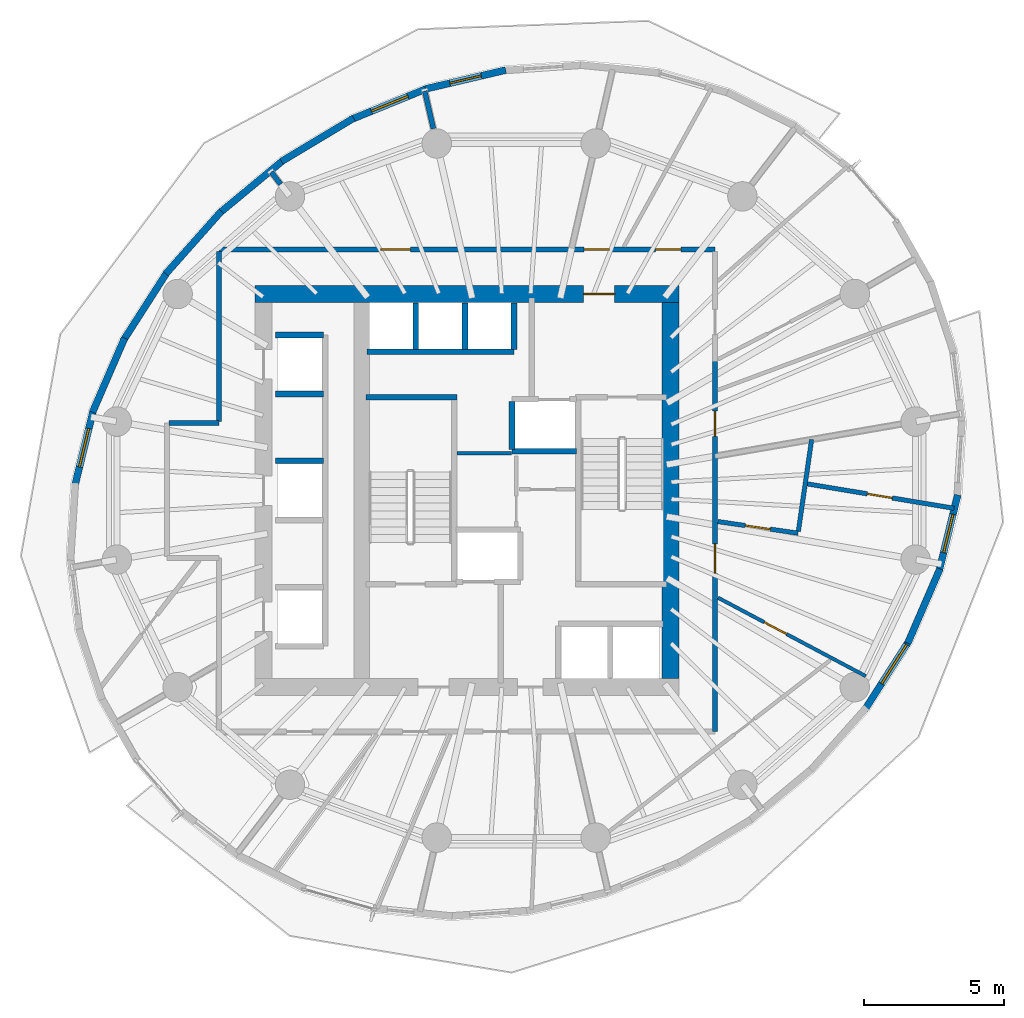
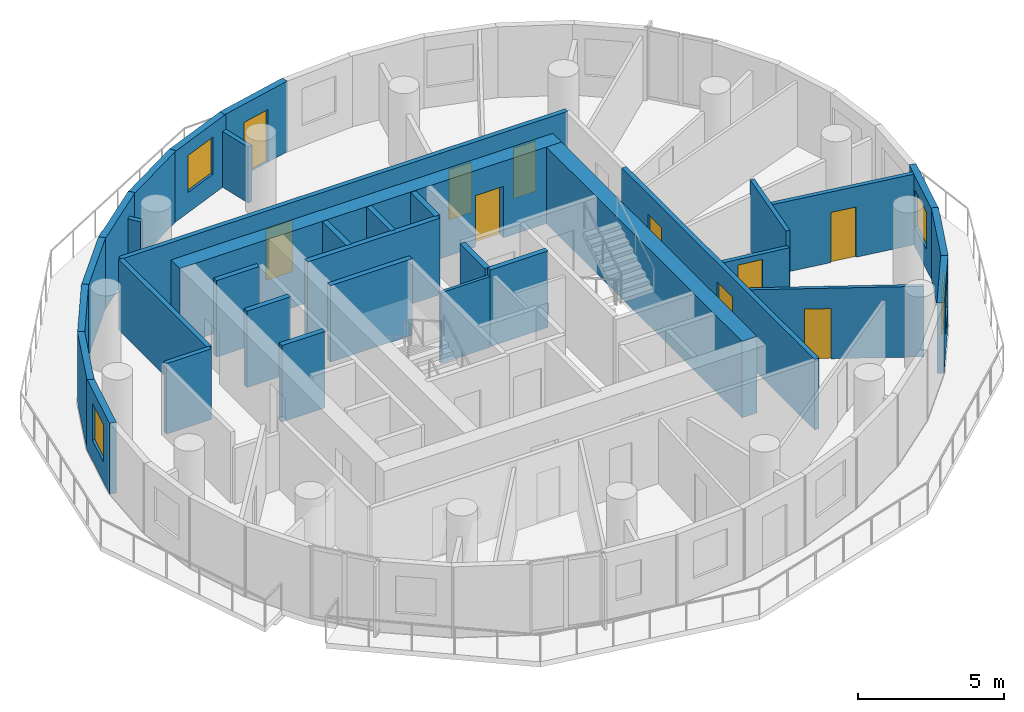
# One storey, part 6 of 12: 34 walls, 10 doors, 4 windows, 14 openings.
"""IFC4 building model written with IfcOpenShell, lengths in metres."""

from ifc_helpers import new_model, si_unit, direction, frame, frame_2d, origin, place, context, subcontext, project, spatial, rectangle, extrude, material, layer, layer_set, type_object, element, fill, save


model = new_model("IFC4")

# Units and contexts
model_context = context("Model", 3, precision=1e-05, world=origin(), true_north=direction((0.0, 1.0)))
body_context = subcontext(model_context, "Body", "Model", "MODEL_VIEW")
ifc_project = project(units=[si_unit("LENGTHUNIT", "METRE"), si_unit("AREAUNIT", "SQUARE_METRE"), si_unit("VOLUMEUNIT", "CUBIC_METRE"), si_unit("PLANEANGLEUNIT", "RADIAN"), si_unit("MASSUNIT", "GRAM", prefix="KILO")], contexts=[model_context])

# Site, building, storey
site_placement = place(None, origin())
site = spatial("IfcSite", under=ifc_project, at=site_placement, CompositionType="ELEMENT")
building_placement = place(site_placement, origin())
building = spatial("IfcBuilding", under=site, at=building_placement, Name="Veldorim Arch Residences", CompositionType="ELEMENT")
storey_placement = place(building_placement, frame((0.0, 0.0, 142.56005859375)))
storey = spatial("IfcBuildingStorey", under=building, at=storey_placement, Name="L42", CompositionType="ELEMENT", Elevation=142.56005859375)

# Wall
ifc_material_1 = material(Name="Acoustic Gypsum Board", Category="gypsum")
ifc_layer_1 = layer(ifc_material_1, 0.125, Name="Acoustic Stud Room Partition Wall 125")
ifc_layer_set_1 = layer_set([ifc_layer_1], Name="Acoustic Gypsum Board")
wall_type_1 = type_object("IfcWallType", Name="Acoustic Stud Room Partition Wall 125", PredefinedType="PARTITIONING", material=ifc_layer_set_1)
wall_1_placement = place(storey_placement, frame((29.889892578125, 25.330078125, 0.0), z_axis=(0.0, 0.0, 1.0), x_axis=(1.0, 0.0, 0.0)))
element("IfcWall", 1, at=wall_1_placement, inside=storey, type_object=wall_type_1, Name="L42 interior wall WL-CA-L42-N", PredefinedType="PARTITIONING", context=body_context, shape_type="SweptSolid", body=[
    extrude(rectangle(XDim=1.940185546875, YDim=0.125, at=frame_2d((0.97021484375, 0.0))), origin(), (0.0, 0.0, 1.0), 2.954833984375),
])

# Wall, opening, door
wall_2_placement = place(storey_placement, frame((44.443115234375, 17.39453125, 0.0), z_axis=(0.0, 0.0, 1.0), x_axis=(-0.883258541518, 0.468886285612, 0.0)))
wall_2 = element("IfcWall", 2, at=wall_2_placement, inside=storey, type_object=wall_type_1, Name="L42 interior wall WL-RES-L42-016", PredefinedType="PARTITIONING", context=body_context, shape_type="SweptSolid", body=[
    extrude(rectangle(XDim=5.951904296875, YDim=0.125, at=frame_2d((2.97607421875, 0.0))), origin(), (0.0, 0.0, 1.0), 2.954833984375),
])
opening_1_placement = place(wall_2_placement, frame((3.18408203125, 0.0, 0.0)))
opening_1 = element("IfcOpeningElement", 3, at=opening_1_placement, cuts=wall_2, Name="Opening DR-INT", PredefinedType="OPENING", context=body_context, shape_type="SweptSolid", body=[
    extrude(rectangle(XDim=0.89990234375, YDim=2.10009765625, at=frame_2d((0.449951171875, 1.050048828125))), frame((0.0, 0.072509765625, 0.0), z_axis=(0.0, -1.0, 0.0), x_axis=(1.0, 0.0, 0.0)), (0.0, 0.0, 1.0), 0.14501953125),
])
ifc_material_2 = material(Name="Engineered Timber", Category="wood")
door_type_1 = type_object("IfcDoorType", Name="Apartment Internal Room Timber Door 900x2100", OperationType="SINGLE_SWING_LEFT", PredefinedType="DOOR", material=ifc_material_2)
door_1_placement = place(opening_1_placement, origin())
door_1 = element("IfcDoor", 4, at=door_1_placement, inside=storey, type_object=door_type_1, Name="L42 interior door DR-RES-L42-007", OperationType="SINGLE_SWING_LEFT", OverallHeight=2.10009765625, OverallWidth=0.89990234375, PredefinedType="DOOR", context=body_context, shape_type="SweptSolid", body=[
    extrude(rectangle(XDim=0.89990234375, YDim=2.10009765625, at=frame_2d((0.449951171875, 1.050048828125))), frame((0.0, 0.02490234375, 0.0), z_axis=(0.0, -1.0, 0.0), x_axis=(1.0, 0.0, 0.0)), (0.0, 0.0, 1.0), 0.050048828125),
])
fill(opening_1, door_1)

# Walls
ifc_material_3 = material(Name="Lightweight Masonry Block & Gypsum", Category="masonry")
ifc_layer_2 = layer(ifc_material_3, 0.179931640625, Name="Compartment & Corridor Fire-Rated Party Wall 180")
ifc_layer_set_2 = layer_set([ifc_layer_2], Name="Lightweight Masonry Block & Gypsum")
wall_type_2 = type_object("IfcWallType", Name="Compartment & Corridor Fire-Rated Party Wall 180", PredefinedType="PARTITIONING", material=ifc_layer_set_2)
wall_3_placement = place(storey_placement, frame((29.049560546875, 36.88916015625, 0.0), z_axis=(0.0, 0.0, 1.0), x_axis=(-0.223027623572, 0.974812125039, 0.0)))
element("IfcWall", 5, at=wall_3_placement, inside=storey, type_object=wall_type_2, Name="L42 interior wall WL-PIER-L42-05", PredefinedType="PARTITIONING", context=body_context, shape_type="SweptSolid", body=[
    extrude(rectangle(XDim=1.372802734375, YDim=0.179931640625, at=frame_2d((0.6865234375, 0.0))), origin(), (0.0, 0.0, 1.0), 2.335693359375),
])
wall_4_placement = place(storey_placement, frame((23.612060546875, 34.908447265625, 0.0), z_axis=(0.0, 0.0, 1.0), x_axis=(-0.6096676216, 0.792657171275, 0.0)))
element("IfcWall", 6, at=wall_4_placement, inside=storey, type_object=wall_type_2, Name="L42 interior wall WL-PIER-L42-06", PredefinedType="PARTITIONING", context=body_context, shape_type="SweptSolid", body=[
    extrude(rectangle(XDim=0.547119140625, YDim=0.179931640625, at=frame_2d((0.2734375, 0.0))), origin(), (0.0, 0.0, 1.0), 2.335693359375),
])

# Wall, openings, doors
wall_5_placement = place(storey_placement, frame((39.080078125, 28.64501953125, 0.0), z_axis=(0.0, 0.0, 1.0), x_axis=(0.0, -1.0, 0.0)))
wall_5 = element("IfcWall", 7, at=wall_5_placement, inside=storey, type_object=wall_type_2, Name="L42 interior wall WL-RES-L42-003", PredefinedType="PARTITIONING", context=body_context, shape_type="SweptSolid", body=[
    extrude(rectangle(XDim=13.22509765625, YDim=0.179931640625, at=frame_2d((6.612548828125, 0.0))), origin(), (0.0, 0.0, 1.0), 2.954833984375),
])
opening_2_placement = place(wall_5_placement, frame((6.54541015625, 0.0, 0.0)))
opening_2 = element("IfcOpeningElement", 8, at=opening_2_placement, cuts=wall_5, Name="Opening DR-FLT", PredefinedType="OPENING", context=body_context, shape_type="SweptSolid", body=[
    extrude(rectangle(XDim=1.050048828125, YDim=2.14990234375, at=frame_2d((0.52490234375, 1.074951171875))), frame((0.0, 0.099853515625, 0.0), z_axis=(0.0, -1.0, 0.0), x_axis=(1.0, 0.0, 0.0)), (0.0, 0.0, 1.0), 0.199951171875),
])
opening_3_placement = place(wall_5_placement, frame((1.8115234375, 0.0, 0.0)))
opening_3 = element("IfcOpeningElement", 9, at=opening_3_placement, cuts=wall_5, Name="Opening DR-INT", PredefinedType="OPENING", context=body_context, shape_type="SweptSolid", body=[
    extrude(rectangle(XDim=0.89990234375, YDim=2.10009765625, at=frame_2d((0.449951171875, 1.050048828125))), frame((0.0, 0.099853515625, 0.0), z_axis=(0.0, -1.0, 0.0), x_axis=(1.0, 0.0, 0.0)), (0.0, 0.0, 1.0), 0.199951171875),
])
ifc_material_4 = material(Name="Fire-Rated Timber", Category="wood")
door_type_2 = type_object("IfcDoorType", Name="Apartment Entrance Solid-Core Fire Door 1050x2150", OperationType="SINGLE_SWING_LEFT", PredefinedType="DOOR", material=ifc_material_4)
door_2_placement = place(opening_2_placement, origin())
door_2 = element("IfcDoor", 10, at=door_2_placement, inside=storey, type_object=door_type_2, Name="L42 interior door DR-RES-L42-005", OperationType="SINGLE_SWING_LEFT", OverallHeight=2.14990234375, OverallWidth=1.050048828125, PredefinedType="DOOR", context=body_context, shape_type="SweptSolid", body=[
    extrude(rectangle(XDim=1.050048828125, YDim=2.14990234375, at=frame_2d((0.52490234375, 1.074951171875))), frame((0.0, 0.02490234375, 0.0), z_axis=(0.0, -1.0, 0.0), x_axis=(1.0, 0.0, 0.0)), (0.0, 0.0, 1.0), 0.050048828125),
])
fill(opening_2, door_2)
door_3_placement = place(opening_3_placement, origin())
door_3 = element("IfcDoor", 11, at=door_3_placement, inside=storey, type_object=door_type_1, Name="L42 interior door DR-RES-L42-013", OperationType="SINGLE_SWING_LEFT", OverallHeight=2.10009765625, OverallWidth=0.89990234375, PredefinedType="DOOR", context=body_context, shape_type="SweptSolid", body=[
    extrude(rectangle(XDim=0.89990234375, YDim=2.10009765625, at=frame_2d((0.449951171875, 1.050048828125))), frame((0.0, 0.02490234375, 0.0), z_axis=(0.0, -1.0, 0.0), x_axis=(1.0, 0.0, 0.0)), (0.0, 0.0, 1.0), 0.050048828125),
])
fill(opening_3, door_3)

wall_6_placement = place(storey_placement, frame((21.419921875, 32.580078125, 0.0), z_axis=(0.0, 0.0, 1.0), x_axis=(1.0, 0.0, 0.0)))
wall_6 = element("IfcWall", 12, at=wall_6_placement, inside=storey, type_object=wall_type_2, Name="L42 interior wall WL-RES-L42-004", PredefinedType="PARTITIONING", context=body_context, shape_type="SweptSolid", body=[
    extrude(rectangle(XDim=17.66015625, YDim=0.179931640625, at=frame_2d((8.830078125, 0.0))), origin(), (0.0, 0.0, 1.0), 2.954833984375),
])
opening_4_placement = place(wall_6_placement, frame((13.000732421875, 0.0, 0.0)))
opening_4 = element("IfcOpeningElement", 13, at=opening_4_placement, cuts=wall_6, Name="Opening DR-INT", PredefinedType="OPENING", context=body_context, shape_type="SweptSolid", body=[
    extrude(rectangle(XDim=0.89990234375, YDim=2.10009765625, at=frame_2d((0.449951171875, 1.050048828125))), frame((0.0, 0.099853515625, 0.0), z_axis=(0.0, -1.0, 0.0), x_axis=(1.0, 0.0, 0.0)), (0.0, 0.0, 1.0), 0.199951171875),
])
opening_5_placement = place(wall_6_placement, frame((15.54736328125, 0.0, 0.0)))
opening_5 = element("IfcOpeningElement", 14, at=opening_5_placement, cuts=wall_6, Name="Opening DR-SVC", PredefinedType="OPENING", context=body_context, shape_type="SweptSolid", body=[
    extrude(rectangle(XDim=0.89990234375, YDim=2.10009765625, at=frame_2d((0.449951171875, 1.050048828125))), frame((0.0, 0.099853515625, 0.0), z_axis=(0.0, -1.0, 0.0), x_axis=(1.0, 0.0, 0.0)), (0.0, 0.0, 1.0), 0.199951171875),
])
opening_6_placement = place(wall_6_placement, frame((5.757080078125, 0.0, 0.0)))
opening_6 = element("IfcOpeningElement", 15, at=opening_6_placement, cuts=wall_6, Name="Opening DR-FLT", PredefinedType="OPENING", context=body_context, shape_type="SweptSolid", body=[
    extrude(rectangle(XDim=1.050048828125, YDim=2.14990234375, at=frame_2d((0.52490234375, 1.074951171875))), frame((0.0, 0.099853515625, 0.0), z_axis=(0.0, -1.0, 0.0), x_axis=(1.0, 0.0, 0.0)), (0.0, 0.0, 1.0), 0.199951171875),
])
door_4_placement = place(opening_6_placement, origin())
door_4 = element("IfcDoor", 16, at=door_4_placement, inside=storey, type_object=door_type_2, Name="L42 interior door DR-RES-L42-015", OperationType="SINGLE_SWING_LEFT", OverallHeight=2.14990234375, OverallWidth=1.050048828125, PredefinedType="DOOR", context=body_context, shape_type="SweptSolid", body=[
    extrude(rectangle(XDim=1.050048828125, YDim=2.14990234375, at=frame_2d((0.52490234375, 1.074951171875))), frame((0.0, 0.02490234375, 0.0), z_axis=(0.0, -1.0, 0.0), x_axis=(1.0, 0.0, 0.0)), (0.0, 0.0, 1.0), 0.050048828125),
])
fill(opening_6, door_4)
door_5_placement = place(opening_4_placement, origin())
door_5 = element("IfcDoor", 17, at=door_5_placement, inside=storey, type_object=door_type_1, Name="L42 interior door DR-RES-L42-010", OperationType="SINGLE_SWING_RIGHT", OverallHeight=2.10009765625, OverallWidth=0.89990234375, PredefinedType="DOOR", context=body_context, shape_type="SweptSolid", body=[
    extrude(rectangle(XDim=0.89990234375, YDim=2.10009765625, at=frame_2d((0.449951171875, 1.050048828125))), frame((0.0, 0.02490234375, 0.0), z_axis=(0.0, -1.0, 0.0), x_axis=(1.0, 0.0, 0.0)), (0.0, 0.0, 1.0), 0.050048828125),
])
fill(opening_4, door_5)
ifc_material_5 = material(Name="Fire-Rated Steel", Category="steel")
door_type_3 = type_object("IfcDoorType", Name="Riser, Shelter & Plant Room Rated Steel Door 900x2100", OperationType="SINGLE_SWING_LEFT", PredefinedType="DOOR", material=ifc_material_5)
door_6_placement = place(opening_5_placement, origin())
door_6 = element("IfcDoor", 18, at=door_6_placement, inside=storey, type_object=door_type_3, Name="L42 interior door DR-RES-L42-011", OperationType="SINGLE_SWING_LEFT", OverallHeight=2.10009765625, OverallWidth=0.89990234375, PredefinedType="DOOR", context=body_context, shape_type="SweptSolid", body=[
    extrude(rectangle(XDim=0.89990234375, YDim=2.10009765625, at=frame_2d((0.449951171875, 1.050048828125))), frame((0.0, 0.02490234375, 0.0), z_axis=(0.0, -1.0, 0.0), x_axis=(1.0, 0.0, 0.0)), (0.0, 0.0, 1.0), 0.050048828125),
])
fill(opening_5, door_6)

# Walls
wall_7_placement = place(storey_placement, frame((19.6298828125, 26.39990234375, 0.0), z_axis=(0.0, 0.0, 1.0), x_axis=(1.0, 0.0, 0.0)))
element("IfcWall", 19, at=wall_7_placement, inside=storey, type_object=wall_type_2, Name="L42 interior wall WL-RES-L42-008", PredefinedType="PARTITIONING", context=body_context, shape_type="SweptSolid", body=[
    extrude(rectangle(XDim=1.7900390625, YDim=0.179931640625, at=frame_2d((0.89501953125, 0.0))), origin(), (0.0, 0.0, 1.0), 2.954833984375),
])
wall_8_placement = place(storey_placement, frame((21.419921875, 26.4599609375, 0.0), z_axis=(0.0, 0.0, 1.0), x_axis=(0.0, 1.0, 0.0)))
element("IfcWall", 20, at=wall_8_placement, inside=storey, type_object=wall_type_2, Name="L42 interior wall WL-RES-L42-009", PredefinedType="PARTITIONING", context=body_context, shape_type="SweptSolid", body=[
    extrude(rectangle(XDim=6.06005859375, YDim=0.179931640625, at=frame_2d((3.030029296875, 0.0))), origin(), (0.0, 0.0, 1.0), 2.954833984375),
])
ifc_material_6 = material(Name="Concrete C50/60", Category="concrete")
ifc_layer_3 = layer(ifc_material_6, 0.199951171875, Name="Core Stair & Lift Shaft Enclosure Wall 200")
ifc_layer_set_3 = layer_set([ifc_layer_3], Name="Concrete C50/60")
wall_type_3 = type_object("IfcWallType", Name="Core Stair & Lift Shaft Enclosure Wall 200", PredefinedType="SHEAR", material=ifc_layer_set_3)
wall_9_placement = place(storey_placement, frame((26.64990234375, 27.330078125, 0.0), z_axis=(0.0, 0.0, 1.0), x_axis=(1.0, 0.0, 0.0)))
element("IfcWall", 21, at=wall_9_placement, inside=storey, type_object=wall_type_3, Name="L42 shaft wall WL-SHF-L42-ST1-N", PredefinedType="SHEAR", context=body_context, shape_type="SweptSolid", body=[
    extrude(rectangle(XDim=3.239990234375, YDim=0.199951171875, at=frame_2d((1.6201171875, 0.0))), origin(), (0.0, 0.0, 1.0), 3.199951171875),
])
wall_10_placement = place(storey_placement, frame((31.85009765625, 25.39990234375, 0.0), z_axis=(0.0, 0.0, 1.0), x_axis=(1.0, 0.0, 0.0)))
element("IfcWall", 22, at=wall_10_placement, inside=storey, type_object=wall_type_3, Name="L42 shaft wall WL-FL02-L42-S", PredefinedType="SHEAR", context=body_context, shape_type="SweptSolid", body=[
    extrude(rectangle(XDim=2.2998046875, YDim=0.199951171875, at=frame_2d((1.14990234375, 0.0))), origin(), (0.0, 0.0, 1.0), 3.199951171875),
])
for number, where, z_axis, x_axis, name in (
    (23, (31.85009765625, 25.469970703125, 0.0), (0.0, 0.0, 1.0), (0.0, 1.0, 0.0), "L42 shaft wall WL-FL02-L42-W"),
    (24, (23.419921875, 29.5400390625, 0.0), (0.0, 0.0, 1.0), (1.0, 0.0, 0.0), "L42 shaft wall WL-B2-L42-N"),
    (25, (23.419921875, 25.06005859375, 0.0), (0.0, 0.0, 1.0), (1.0, 0.0, 0.0), "L42 shaft wall WL-B2-L42-D2A"),
    (26, (23.419921875, 27.43994140625, 0.0), (0.0, 0.0, 1.0), (1.0, 0.0, 0.0), "L42 shaft wall WL-B2-L42-D2B"),
):
    element("IfcWall", number, at=place(storey_placement, frame(where, z_axis=z_axis, x_axis=x_axis)), inside=storey, type_object=wall_type_3, Name=name, PredefinedType="SHEAR", context=body_context, shape_type="SweptSolid", body=[
        extrude(rectangle(XDim=1.7099609375, YDim=0.199951171875, at=frame_2d((0.85498046875, 0.0))), origin(), (0.0, 0.0, 1.0), 3.199951171875),
    ])
wall_11_placement = place(storey_placement, frame((26.679931640625, 28.949951171875, 0.0), z_axis=(0.0, 0.0, 1.0), x_axis=(1.0, 0.0, 0.0)))
element("IfcWall", 27, at=wall_11_placement, inside=storey, type_object=wall_type_3, Name="L42 shaft wall WL-B3-L42-S", PredefinedType="SHEAR", context=body_context, shape_type="SweptSolid", body=[
    extrude(rectangle(XDim=5.239990234375, YDim=0.199951171875, at=frame_2d((2.6201171875, 0.0))), origin(), (0.0, 0.0, 1.0), 3.199951171875),
])
for number, where, z_axis, x_axis, name in (
    (28, (31.919921875, 29.02001953125, 0.0), (0.0, 0.0, 1.0), (0.0, 1.0, 0.0), "L42 shaft wall WL-B3-L42-E"),
    (29, (28.425048828125, 29.02001953125, 0.0), (0.0, 0.0, 1.0), (0.0, 1.0, 0.0), "L42 shaft wall WL-B3-L42-D1"),
    (30, (30.175048828125, 29.02001953125, 0.0), (0.0, 0.0, 1.0), (0.0, 1.0, 0.0), "L42 shaft wall WL-B3-L42-D2"),
):
    element("IfcWall", number, at=place(storey_placement, frame(where, z_axis=z_axis, x_axis=x_axis)), inside=storey, type_object=wall_type_3, Name=name, PredefinedType="SHEAR", context=body_context, shape_type="SweptSolid", body=[
        extrude(rectangle(XDim=1.659912109375, YDim=0.199951171875, at=frame_2d((0.830078125, 0.0))), origin(), (0.0, 0.0, 1.0), 3.199951171875),
    ])

# Wall, opening, door
ifc_material_7 = material(Name="Concrete C50/60", Category="concrete")
ifc_layer_4 = layer(ifc_material_7, 0.60009765625, Name="Mid-Upper Central Core Shear Wall 600")
ifc_layer_set_4 = layer_set([ifc_layer_4], Name="Concrete C50/60")
wall_type_4 = type_object("IfcWallType", Name="Mid-Upper Central Core Shear Wall 600", PredefinedType="SHEAR", material=ifc_layer_set_4)
wall_12_placement = place(storey_placement, frame((22.699951171875, 31.0, 0.0), z_axis=(0.0, 0.0, 1.0), x_axis=(1.0, 0.0, 0.0)))
wall_12 = element("IfcWall", 31, at=wall_12_placement, inside=storey, type_object=wall_type_4, Name="L42 central core north shear wall", PredefinedType="SHEAR", context=body_context, shape_type="SweptSolid", body=[
    extrude(rectangle(XDim=15.10009765625, YDim=0.60009765625, at=frame_2d((7.550048828125, 0.0))), origin(), (0.0, 0.0, 1.0), 3.199951171875),
])
opening_7_placement = place(wall_12_placement, frame((11.699951171875, 0.0, 0.0)))
opening_7 = element("IfcOpeningElement", 32, at=opening_7_placement, cuts=wall_12, Name="Opening DR-FFL", PredefinedType="OPENING", context=body_context, shape_type="SweptSolid", body=[
    extrude(rectangle(XDim=1.10009765625, YDim=2.14990234375, at=frame_2d((0.550048828125, 1.074951171875))), frame((0.0, 0.31005859375, 0.0), z_axis=(0.0, -1.0, 0.0), x_axis=(1.0, 0.0, 0.0)), (0.0, 0.0, 1.0), 0.6201171875),
])
ifc_material_8 = material(Name="Fire-Rated Steel & Vision Glass", Category="steel")
door_type_4 = type_object("IfcDoorType", Name="Firefighting Lobby Smoke-Stop Fire Door 1100x2150", OperationType="SINGLE_SWING_LEFT", PredefinedType="DOOR", material=ifc_material_8)
door_7_placement = place(opening_7_placement, origin())
door_7 = element("IfcDoor", 33, at=door_7_placement, inside=storey, type_object=door_type_4, Name="L42 interior door DR-L42-FFL2", OperationType="SINGLE_SWING_LEFT", OverallHeight=2.14990234375, OverallWidth=1.10009765625, PredefinedType="DOOR", context=body_context, shape_type="SweptSolid", body=[
    extrude(rectangle(XDim=1.10009765625, YDim=2.14990234375, at=frame_2d((0.550048828125, 1.074951171875))), frame((0.0, 0.02490234375, 0.0), z_axis=(0.0, -1.0, 0.0), x_axis=(1.0, 0.0, 0.0)), (0.0, 0.0, 1.0), 0.050048828125),
])
fill(opening_7, door_7)

# Wall
wall_13_placement = place(storey_placement, frame((37.5, 17.300048828125, 0.0), z_axis=(0.0, 0.0, 1.0), x_axis=(0.0, 1.0, 0.0)))
element("IfcWall", 34, at=wall_13_placement, inside=storey, type_object=wall_type_4, Name="L42 central core east shear wall", PredefinedType="SHEAR", context=body_context, shape_type="SweptSolid", body=[
    extrude(rectangle(XDim=13.39990234375, YDim=0.60009765625, at=frame_2d((6.699951171875, 0.0))), origin(), (0.0, 0.0, 1.0), 3.199951171875),
])

# Wall, opening, door
ifc_material_9 = material(Name="Precast concrete C40/50", Category="concrete")
ifc_layer_5 = layer(ifc_material_9, 0.25, Name="Tower Terracotta Spandrel & Pier Wall 250")
ifc_layer_set_5 = layer_set([ifc_layer_5], Name="Precast concrete C40/50")
wall_type_5 = type_object("IfcWallType", Name="Tower Terracotta Spandrel & Pier Wall 250", PredefinedType="SOLIDWALL", material=ifc_layer_set_5)
wall_14_placement = place(storey_placement, frame((28.766845703125, 38.305419921875, 0.0), z_axis=(0.0, 0.0, 1.0), x_axis=(0.973538048261, 0.228524984602, 0.0)))
wall_14 = element("IfcWall", 35, at=wall_14_placement, inside=storey, type_object=wall_type_5, Name="L42 terracotta facade wall 07", PredefinedType="SOLIDWALL", context=body_context, shape_type="SweptSolid", body=[
    extrude(rectangle(XDim=2.936767578125, YDim=0.25, at=frame_2d((1.46826171875, 0.0))), origin(), (0.0, 0.0, 1.0), 2.9599609375),
])
opening_8_placement = place(wall_14_placement, frame((0.89306640625, 0.0, 0.0)))
opening_8 = element("IfcOpeningElement", 36, at=opening_8_placement, cuts=wall_14, Name="Opening BL-DR", PredefinedType="OPENING", context=body_context, shape_type="SweptSolid", body=[
    extrude(rectangle(XDim=1.14990234375, YDim=2.199951171875, at=frame_2d((0.574951171875, 1.10009765625))), frame((0.0, 0.135009765625, 0.0), z_axis=(0.0, -1.0, 0.0), x_axis=(1.0, 0.0, 0.0)), (0.0, 0.0, 1.0), 0.27001953125),
])
ifc_material_10 = material(Name="Aluminium & Low-E Glass", Category="aluminium")
door_type_5 = type_object("IfcDoorType", Name="Glazed Planted Balcony Door 1150x2200", OperationType="SINGLE_SWING_LEFT", PredefinedType="DOOR", material=ifc_material_10)
door_8_placement = place(opening_8_placement, origin())
door_8 = element("IfcDoor", 37, at=door_8_placement, inside=storey, type_object=door_type_5, Name="L42 glazed outdoor terrace door BALC-1", OperationType="SINGLE_SWING_LEFT", OverallHeight=2.199951171875, OverallWidth=1.14990234375, PredefinedType="DOOR", context=body_context, shape_type="SweptSolid", body=[
    extrude(rectangle(XDim=1.14990234375, YDim=2.199951171875, at=frame_2d((0.574951171875, 1.10009765625))), frame((0.0, 0.02490234375, 0.0), z_axis=(0.0, -1.0, 0.0), x_axis=(1.0, 0.0, 0.0)), (0.0, 0.0, 1.0), 0.050048828125),
])
fill(opening_8, door_8)

# Wall, opening, window
wall_15_placement = place(storey_placement, frame((26.114013671875, 37.21533203125, 0.0), z_axis=(0.0, 0.0, 1.0), x_axis=(0.926076439021, 0.377335963154, 0.0)))
wall_15 = element("IfcWall", 38, at=wall_15_placement, inside=storey, type_object=wall_type_5, Name="L42 terracotta facade wall 08", PredefinedType="SOLIDWALL", context=body_context, shape_type="SweptSolid", body=[
    extrude(rectangle(XDim=2.976806640625, YDim=0.25, at=frame_2d((1.48828125, 0.0))), origin(), (0.0, 0.0, 1.0), 2.9599609375),
])
opening_9_placement = place(wall_15_placement, frame((0.7890625, 0.0, 0.85009765625)))
opening_9 = element("IfcOpeningElement", 39, at=opening_9_placement, cuts=wall_15, Name="Opening WN-02", PredefinedType="OPENING", context=body_context, shape_type="SweptSolid", body=[
    extrude(rectangle(XDim=1.39990234375, YDim=1.550048828125, at=frame_2d((0.699951171875, 0.77490234375))), frame((0.0, 0.135009765625, 0.0), z_axis=(0.0, -1.0, 0.0), x_axis=(1.0, 0.0, 0.0)), (0.0, 0.0, 1.0), 0.27001953125),
])
ifc_material_11 = material(Name="Laminated Low-E Glass", Category="glass")
window_type_1 = type_object("IfcWindowType", Name="Residential Casement Window 1400x1550", PartitioningType="SINGLE_PANEL", PredefinedType="WINDOW", material=ifc_material_11)
window_1_placement = place(opening_9_placement, origin())
window_1 = element("IfcWindow", 40, at=window_1_placement, inside=storey, type_object=window_type_1, Name="L42 solar-control facade window 08", OverallHeight=1.550048828125, OverallWidth=1.39990234375, PartitioningType="SINGLE_PANEL", PredefinedType="WINDOW", context=body_context, shape_type="SweptSolid", body=[
    extrude(rectangle(XDim=1.39990234375, YDim=1.550048828125, at=frame_2d((0.699951171875, 0.77490234375))), frame((0.0, 0.030029296875, 0.0), z_axis=(0.0, -1.0, 0.0), x_axis=(1.0, 0.0, 0.0)), (0.0, 0.0, 1.0), 0.06005859375),
])
fill(opening_9, window_1)

# Walls
for number, where, z_axis, x_axis, name in (
    (41, (23.63916015625, 35.722900390625, 0.0), (0.0, 0.0, 1.0), (0.857816062946, 0.513956809617, 0.0), "L42 terracotta facade wall 09"),
    (42, (21.418701171875, 33.873291015625, 0.0), (0.0, 0.0, 1.0), (0.77019983048, 0.637802650613, 0.0), "L42 terracotta facade wall 10"),
):
    element("IfcWall", number, at=place(storey_placement, frame(where, z_axis=z_axis, x_axis=x_axis)), inside=storey, type_object=wall_type_5, Name=name, PredefinedType="SOLIDWALL", context=body_context, shape_type="SweptSolid", body=[
        extrude(rectangle(XDim=2.998291015625, YDim=0.25, at=frame_2d((1.4990234375, 0.0))), origin(), (0.0, 0.0, 1.0), 2.9599609375),
    ])
wall_16_placement = place(storey_placement, frame((19.520263671875, 31.722900390625, 0.0), z_axis=(0.0, 0.0, 1.0), x_axis=(0.664002369324, 0.747730468506, 0.0)))
element("IfcWall", 43, at=wall_16_placement, inside=storey, type_object=wall_type_5, Name="L42 terracotta facade wall 11", PredefinedType="SOLIDWALL", context=body_context, shape_type="SweptSolid", body=[
    extrude(rectangle(XDim=2.97705078125, YDim=0.25, at=frame_2d((1.488525390625, 0.0))), origin(), (0.0, 0.0, 1.0), 2.9599609375),
])
wall_17_placement = place(storey_placement, frame((18.001708984375, 29.337158203125, 0.0), z_axis=(0.0, 0.0, 1.0), x_axis=(0.539492373821, 0.841990486044, 0.0)))
element("IfcWall", 44, at=wall_17_placement, inside=storey, type_object=wall_type_5, Name="L42 terracotta facade wall 12", PredefinedType="SOLIDWALL", context=body_context, shape_type="SweptSolid", body=[
    extrude(rectangle(XDim=2.93701171875, YDim=0.25, at=frame_2d((1.468505859375, 0.0))), origin(), (0.0, 0.0, 1.0), 2.9599609375),
])
wall_18_placement = place(storey_placement, frame((16.909423828125, 26.789306640625, 0.0), z_axis=(0.0, 0.0, 1.0), x_axis=(0.397015319193, 0.917811983102, 0.0)))
element("IfcWall", 45, at=wall_18_placement, inside=storey, type_object=wall_type_5, Name="L42 terracotta facade wall 13", PredefinedType="SOLIDWALL", context=body_context, shape_type="SweptSolid", body=[
    extrude(rectangle(XDim=2.881591796875, YDim=0.25, at=frame_2d((1.44091796875, 0.0))), origin(), (0.0, 0.0, 1.0), 2.9599609375),
])

# Wall, opening, window
wall_19_placement = place(storey_placement, frame((16.27685546875, 24.156982421875, 0.0), z_axis=(0.0, 0.0, 1.0), x_axis=(0.236986101123, 0.971513040507, 0.0)))
wall_19 = element("IfcWall", 46, at=wall_19_placement, inside=storey, type_object=wall_type_5, Name="L42 terracotta facade wall 14", PredefinedType="SOLIDWALL", context=body_context, shape_type="SweptSolid", body=[
    extrude(rectangle(XDim=2.817626953125, YDim=0.25, at=frame_2d((1.40869140625, 0.0))), origin(), (0.0, 0.0, 1.0), 2.9599609375),
])
opening_10_placement = place(wall_19_placement, frame((0.708984375, 0.0, 0.85009765625)))
opening_10 = element("IfcOpeningElement", 47, at=opening_10_placement, cuts=wall_19, Name="Opening WN-02", PredefinedType="OPENING", context=body_context, shape_type="SweptSolid", body=[
    extrude(rectangle(XDim=1.39990234375, YDim=1.550048828125, at=frame_2d((0.699951171875, 0.77490234375))), frame((0.0, 0.135009765625, 0.0), z_axis=(0.0, -1.0, 0.0), x_axis=(1.0, 0.0, 0.0)), (0.0, 0.0, 1.0), 0.27001953125),
])
window_2_placement = place(opening_10_placement, origin())
window_2 = element("IfcWindow", 48, at=window_2_placement, inside=storey, type_object=window_type_1, Name="L42 solar-control facade window 14", OverallHeight=1.550048828125, OverallWidth=1.39990234375, PartitioningType="SINGLE_PANEL", PredefinedType="WINDOW", context=body_context, shape_type="SweptSolid", body=[
    extrude(rectangle(XDim=1.39990234375, YDim=1.550048828125, at=frame_2d((0.699951171875, 0.77490234375))), frame((0.0, 0.030029296875, 0.0), z_axis=(0.0, -1.0, 0.0), x_axis=(1.0, 0.0, 0.0)), (0.0, 0.0, 1.0), 0.06005859375),
])
fill(opening_10, window_2)

wall_20_placement = place(storey_placement, frame((45.998291015625, 18.662841796875, 0.0), z_axis=(0.0, 0.0, 1.0), x_axis=(-0.539492373821, -0.841990486044, 0.0)))
wall_20 = element("IfcWall", 49, at=wall_20_placement, inside=storey, type_object=wall_type_5, Name="L42 terracotta facade wall 30", PredefinedType="SOLIDWALL", context=body_context, shape_type="SweptSolid", body=[
    extrude(rectangle(XDim=2.93701171875, YDim=0.25, at=frame_2d((1.468505859375, 0.0))), origin(), (0.0, 0.0, 1.0), 2.9599609375),
])
opening_11_placement = place(wall_20_placement, frame((0.175048828125, 0.0, 0.85009765625)))
opening_11 = element("IfcOpeningElement", 50, at=opening_11_placement, cuts=wall_20, Name="Opening WN-03", PredefinedType="OPENING", context=body_context, shape_type="SweptSolid", body=[
    extrude(rectangle(XDim=1.64990234375, YDim=1.550048828125, at=frame_2d((0.824951171875, 0.77490234375))), frame((0.0, 0.135009765625, 0.0), z_axis=(0.0, -1.0, 0.0), x_axis=(1.0, 0.0, 0.0)), (0.0, 0.0, 1.0), 0.27001953125),
])
ifc_material_12 = material(Name="Laminated Low-E Glass", Category="glass")
window_type_2 = type_object("IfcWindowType", Name="Residential Wide Window 1650x1550", PartitioningType="SINGLE_PANEL", PredefinedType="WINDOW", material=ifc_material_12)
window_3_placement = place(opening_11_placement, origin())
window_3 = element("IfcWindow", 51, at=window_3_placement, inside=storey, type_object=window_type_2, Name="L42 solar-control facade window 30", OverallHeight=1.550048828125, OverallWidth=1.64990234375, PartitioningType="SINGLE_PANEL", PredefinedType="WINDOW", context=body_context, shape_type="SweptSolid", body=[
    extrude(rectangle(XDim=1.64990234375, YDim=1.550048828125, at=frame_2d((0.824951171875, 0.77490234375))), frame((0.0, 0.030029296875, 0.0), z_axis=(0.0, -1.0, 0.0), x_axis=(1.0, 0.0, 0.0)), (0.0, 0.0, 1.0), 0.06005859375),
])
fill(opening_11, window_3)

# Wall
wall_21_placement = place(storey_placement, frame((47.090576171875, 21.210693359375, 0.0), z_axis=(0.0, 0.0, 1.0), x_axis=(-0.397015319193, -0.917811983102, 0.0)))
element("IfcWall", 52, at=wall_21_placement, inside=storey, type_object=wall_type_5, Name="L42 terracotta facade wall 31", PredefinedType="SOLIDWALL", context=body_context, shape_type="SweptSolid", body=[
    extrude(rectangle(XDim=2.881591796875, YDim=0.25, at=frame_2d((1.44091796875, 0.0))), origin(), (0.0, 0.0, 1.0), 2.9599609375),
])

# Wall, opening, window
wall_22_placement = place(storey_placement, frame((47.72314453125, 23.843017578125, 0.0), z_axis=(0.0, 0.0, 1.0), x_axis=(-0.236986101123, -0.971513040507, 0.0)))
wall_22 = element("IfcWall", 53, at=wall_22_placement, inside=storey, type_object=wall_type_5, Name="L42 terracotta facade wall 32", PredefinedType="SOLIDWALL", context=body_context, shape_type="SweptSolid", body=[
    extrude(rectangle(XDim=2.817626953125, YDim=0.25, at=frame_2d((1.40869140625, 0.0))), origin(), (0.0, 0.0, 1.0), 2.9599609375),
])
opening_12_placement = place(wall_22_placement, frame((0.708984375, 0.0, 0.85009765625)))
opening_12 = element("IfcOpeningElement", 54, at=opening_12_placement, cuts=wall_22, Name="Opening WN-02", PredefinedType="OPENING", context=body_context, shape_type="SweptSolid", body=[
    extrude(rectangle(XDim=1.39990234375, YDim=1.550048828125, at=frame_2d((0.699951171875, 0.77490234375))), frame((0.0, 0.135009765625, 0.0), z_axis=(0.0, -1.0, 0.0), x_axis=(1.0, 0.0, 0.0)), (0.0, 0.0, 1.0), 0.27001953125),
])
window_4_placement = place(opening_12_placement, origin())
window_4 = element("IfcWindow", 55, at=window_4_placement, inside=storey, type_object=window_type_1, Name="L42 solar-control facade window 32", OverallHeight=1.550048828125, OverallWidth=1.39990234375, PartitioningType="SINGLE_PANEL", PredefinedType="WINDOW", context=body_context, shape_type="SweptSolid", body=[
    extrude(rectangle(XDim=1.39990234375, YDim=1.550048828125, at=frame_2d((0.699951171875, 0.77490234375))), frame((0.0, 0.030029296875, 0.0), z_axis=(0.0, -1.0, 0.0), x_axis=(1.0, 0.0, 0.0)), (0.0, 0.0, 1.0), 0.06005859375),
])
fill(opening_12, window_4)

# Wall, opening, door
ifc_material_13 = material(Name="Moisture-Resistant Gypsum & Stud", Category="gypsum")
ifc_layer_6 = layer(ifc_material_13, 0.159912109375, Name="Wet-Area Moisture-Resistant Plumbing Wall 160")
ifc_layer_set_6 = layer_set([ifc_layer_6], Name="Moisture-Resistant Gypsum & Stud")
wall_type_6 = type_object("IfcWallType", Name="Wet-Area Moisture-Resistant Plumbing Wall 160", PredefinedType="PLUMBINGWALL", material=ifc_layer_set_6)
wall_23_placement = place(storey_placement, frame((42.293701171875, 24.25048828125, 0.0), z_axis=(0.0, 0.0, 1.0), x_axis=(0.986430753195, -0.164177858287, 0.0)))
wall_23 = element("IfcWall", 56, at=wall_23_placement, inside=storey, type_object=wall_type_6, Name="L42 interior wall WL-RES-L42-015", PredefinedType="PLUMBINGWALL", context=body_context, shape_type="SweptSolid", body=[
    extrude(rectangle(XDim=5.371337890625, YDim=0.159912109375, at=frame_2d((2.685546875, 0.0))), origin(), (0.0, 0.0, 1.0), 2.954833984375),
])
opening_13_placement = place(wall_23_placement, frame((2.235595703125, 0.0, 0.0)))
opening_13 = element("IfcOpeningElement", 57, at=opening_13_placement, cuts=wall_23, Name="Opening DR-WC", PredefinedType="OPENING", context=body_context, shape_type="SweptSolid", body=[
    extrude(rectangle(XDim=0.89990234375, YDim=2.10009765625, at=frame_2d((0.449951171875, 1.050048828125))), frame((0.0, 0.08984375, 0.0), z_axis=(0.0, -1.0, 0.0), x_axis=(1.0, 0.0, 0.0)), (0.0, 0.0, 1.0), 0.179931640625),
])
ifc_material_14 = material(Name="Laminate Timber", Category="wood")
door_type_6 = type_object("IfcDoorType", Name="Bathroom & Accessible WC Moisture-Sealed Door 900x2100", OperationType="SINGLE_SWING_LEFT", PredefinedType="DOOR", material=ifc_material_14)
door_9_placement = place(opening_13_placement, origin())
door_9 = element("IfcDoor", 58, at=door_9_placement, inside=storey, type_object=door_type_6, Name="L42 interior door DR-RES-L42-006", OperationType="SINGLE_SWING_RIGHT", OverallHeight=2.10009765625, OverallWidth=0.89990234375, PredefinedType="DOOR", context=body_context, shape_type="SweptSolid", body=[
    extrude(rectangle(XDim=0.89990234375, YDim=2.10009765625, at=frame_2d((0.449951171875, 1.050048828125))), frame((0.0, 0.02490234375, 0.0), z_axis=(0.0, -1.0, 0.0), x_axis=(1.0, 0.0, 0.0)), (0.0, 0.0, 1.0), 0.050048828125),
])
fill(opening_13, door_9)

wall_24_placement = place(storey_placement, frame((39.178955078125, 22.89599609375, 0.0), z_axis=(0.0, 0.0, 1.0), x_axis=(0.989697773488, -0.143172333756, 0.0)))
wall_24 = element("IfcWall", 59, at=wall_24_placement, inside=storey, type_object=wall_type_6, Name="L42 interior wall WL-RES-L42-017", PredefinedType="PLUMBINGWALL", context=body_context, shape_type="SweptSolid", body=[
    extrude(rectangle(XDim=2.888671875, YDim=0.159912109375, at=frame_2d((1.4443359375, 0.0))), origin(), (0.0, 0.0, 1.0), 2.335693359375),
])
opening_14_placement = place(wall_24_placement, frame((0.994384765625, 0.0, 0.0)))
opening_14 = element("IfcOpeningElement", 60, at=opening_14_placement, cuts=wall_24, Name="Opening DR-INT", PredefinedType="OPENING", context=body_context, shape_type="SweptSolid", body=[
    extrude(rectangle(XDim=0.89990234375, YDim=2.10009765625, at=frame_2d((0.449951171875, 1.050048828125))), frame((0.0, 0.08984375, 0.0), z_axis=(0.0, -1.0, 0.0), x_axis=(1.0, 0.0, 0.0)), (0.0, 0.0, 1.0), 0.179931640625),
])
door_10_placement = place(opening_14_placement, origin())
door_10 = element("IfcDoor", 61, at=door_10_placement, inside=storey, type_object=door_type_1, Name="L42 interior door DR-RES-L42-009", OperationType="SINGLE_SWING_LEFT", OverallHeight=2.10009765625, OverallWidth=0.89990234375, PredefinedType="DOOR", context=body_context, shape_type="SweptSolid", body=[
    extrude(rectangle(XDim=0.89990234375, YDim=2.10009765625, at=frame_2d((0.449951171875, 1.050048828125))), frame((0.0, 0.02490234375, 0.0), z_axis=(0.0, -1.0, 0.0), x_axis=(1.0, 0.0, 0.0)), (0.0, 0.0, 1.0), 0.050048828125),
])
fill(opening_14, door_10)

# Wall
wall_25_placement = place(storey_placement, frame((42.04638671875, 22.5419921875, 0.0), z_axis=(0.0, 0.0, 1.0), x_axis=(0.143217612057, 0.98969122235, 0.0)))
element("IfcWall", 62, at=wall_25_placement, inside=storey, type_object=wall_type_6, Name="L42 interior wall WL-RES-L42-018", PredefinedType="PLUMBINGWALL", context=body_context, shape_type="SweptSolid", body=[
    extrude(rectangle(XDim=3.310546875, YDim=0.159912109375, at=frame_2d((1.6552734375, 0.0))), origin(), (0.0, 0.0, 1.0), 2.954833984375),
])

save(model, "model.ifc")
